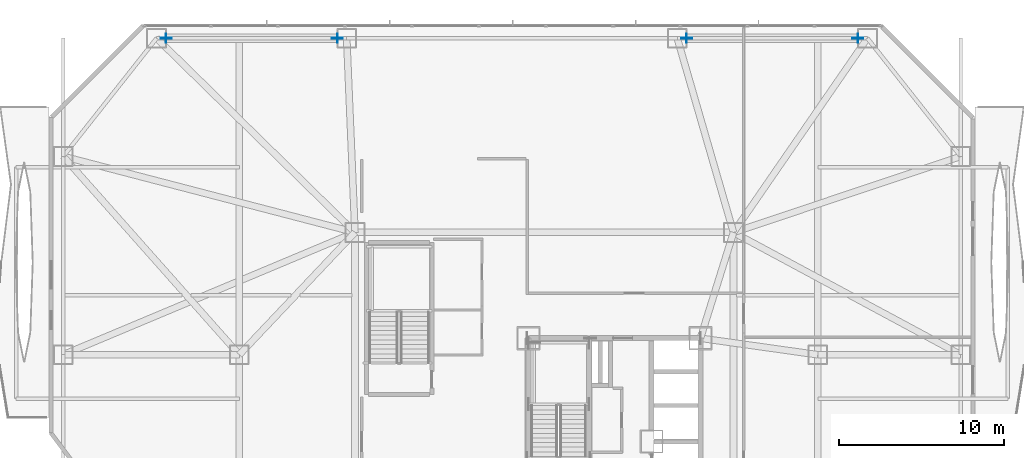
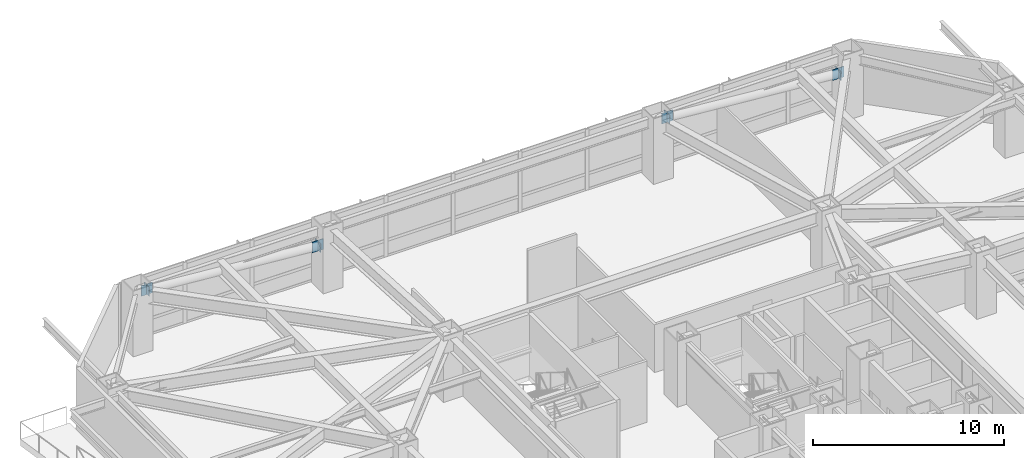
# One storey, part 15 of 25: 8 plates.
"""IFC4 building model written with IfcOpenShell, lengths in metres."""

from ifc_helpers import new_model, si_unit, direction, frame, origin, origin_2d, place, context, subcontext, project, spatial, rectangle, extrude, material, layer, layer_set, type_object, element, save


model = new_model("IFC4")

# Units and contexts
model_context = context("Model", 3, precision=1e-05, world=origin(), true_north=direction((0.0, 1.0)))
body_context = subcontext(model_context, "Body", "Model", "MODEL_VIEW")
ifc_project = project(units=[si_unit("LENGTHUNIT", "METRE"), si_unit("AREAUNIT", "SQUARE_METRE"), si_unit("VOLUMEUNIT", "CUBIC_METRE"), si_unit("PLANEANGLEUNIT", "RADIAN"), si_unit("MASSUNIT", "GRAM", prefix="KILO")], contexts=[model_context])

# Site, building, storey
site_placement = place(None, origin())
site = spatial("IfcSite", under=ifc_project, at=site_placement, CompositionType="ELEMENT")
building_placement = place(site_placement, origin())
building = spatial("IfcBuilding", under=site, at=building_placement, Name="Khamvora Tower", CompositionType="ELEMENT")
storey_placement = place(building_placement, frame((0.0, 0.0, 16.199951171875)))
storey = spatial("IfcBuildingStorey", under=building, at=storey_placement, Name="L03", CompositionType="ELEMENT", Elevation=16.199951171875)

# Plates
ifc_material_1 = material(Name="Steel S355", Category="steel")
ifc_layer_1 = layer(ifc_material_1, 0.02490234375)
ifc_layer_set_1 = layer_set([ifc_layer_1], Name="Steel S355")
plate_type_1 = type_object("IfcPlateType", Name="PL-CAP-25", PredefinedType="SHEET", material=ifc_layer_set_1)
for number, where, z_axis, x_axis, name in (
    (1, (17.43408203125, 55.14990234375, 2.44189453125), (0.0, 0.0, 1.0), (-1.0, 0.0, 0.0), "L03 hollow section steel end cap plate 0432"),
    (2, (7.06591796875, 55.14990234375, 3.2822265625), (0.0, 0.0, 1.0), (-1.0, 0.0, 0.0), "L03 hollow section steel end cap plate 0433"),
    (3, (48.93408203125, 55.14990234375, 2.44189453125), (0.0, 0.0, 1.0), (-1.0, 0.0, 0.0), "L03 hollow section steel end cap plate 0434"),
    (4, (38.56591796875, 55.14990234375, 3.2822265625), (0.0, 0.0, 1.0), (-1.0, 0.0, 0.0), "L03 hollow section steel end cap plate 0435"),
):
    element("IfcPlate", number, at=place(storey_placement, frame(where, z_axis=z_axis, x_axis=x_axis)), inside=storey, type_object=plate_type_1, Name=name, PredefinedType="SHEET", context=body_context, shape_type="SweptSolid", body=[
        extrude(rectangle(XDim=0.02490234375, YDim=0.568115234375, at=origin_2d()), origin(), (0.0, 0.0, 1.0), 0.568115234375),
    ])
ifc_material_2 = material(Name="Steel S460", Category="steel")
ifc_layer_2 = layer(ifc_material_2, 0.0400390625)
ifc_layer_set_2 = layer_set([ifc_layer_2], Name="Steel S460")
plate_type_2 = type_object("IfcPlateType", Name="PLT-GUS-40", PredefinedType="SHEET", material=ifc_layer_set_2)
for number, where, z_axis, x_axis, name in (
    (5, (17.422119140625, 55.14990234375, 2.38720703125), (0.0, 0.0, 1.0), (1.0, 0.0, 0.0), "L03 brace connection node gusset plate 0045"),
    (6, (7.077880859375, 55.14990234375, 3.22509765625), (0.0, 0.0, 1.0), (1.0, 0.0, 0.0), "L03 brace connection node gusset plate 0046"),
    (7, (48.922119140625, 55.14990234375, 2.38720703125), (0.0, 0.0, 1.0), (1.0, 0.0, 0.0), "L03 brace connection node gusset plate 0047"),
    (8, (38.577880859375, 55.14990234375, 3.22509765625), (0.0, 0.0, 1.0), (1.0, 0.0, 0.0), "L03 brace connection node gusset plate 0048"),
):
    element("IfcPlate", number, at=place(storey_placement, frame(where, z_axis=z_axis, x_axis=x_axis)), inside=storey, type_object=plate_type_2, Name=name, PredefinedType="SHEET", context=body_context, shape_type="SweptSolid", body=[
        extrude(rectangle(XDim=0.679931640625, YDim=0.0400390625, at=origin_2d()), origin(), (0.0, 0.0, 1.0), 0.679931640625),
    ])

save(model, "model.ifc")
